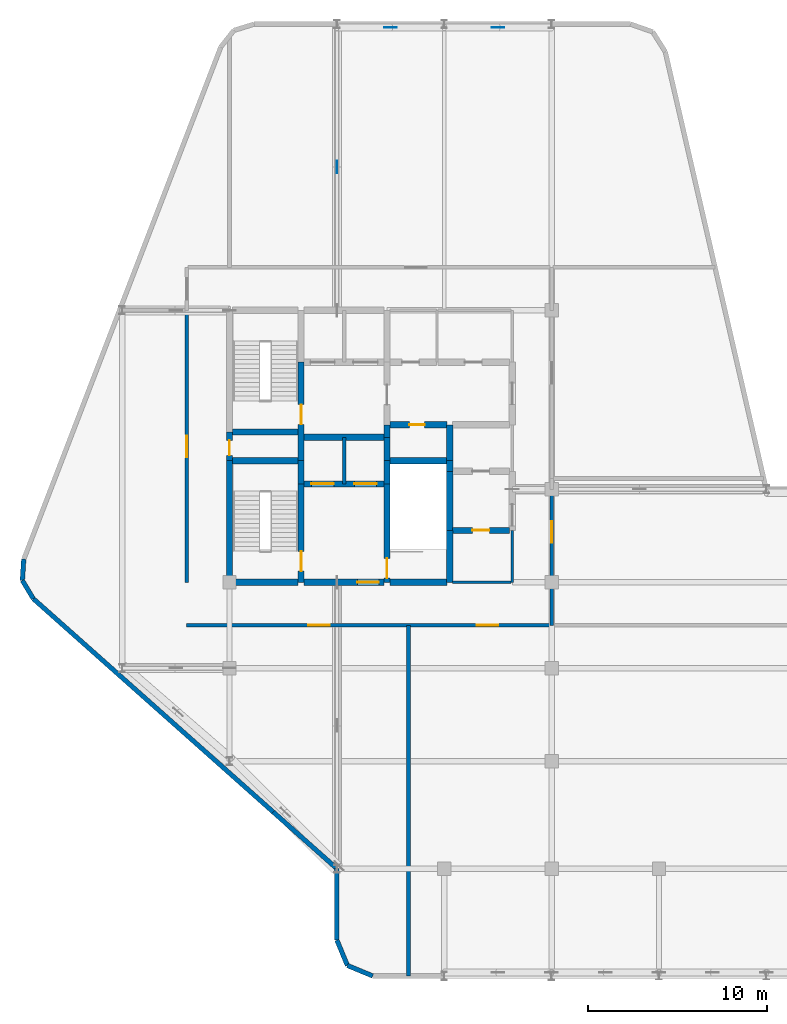
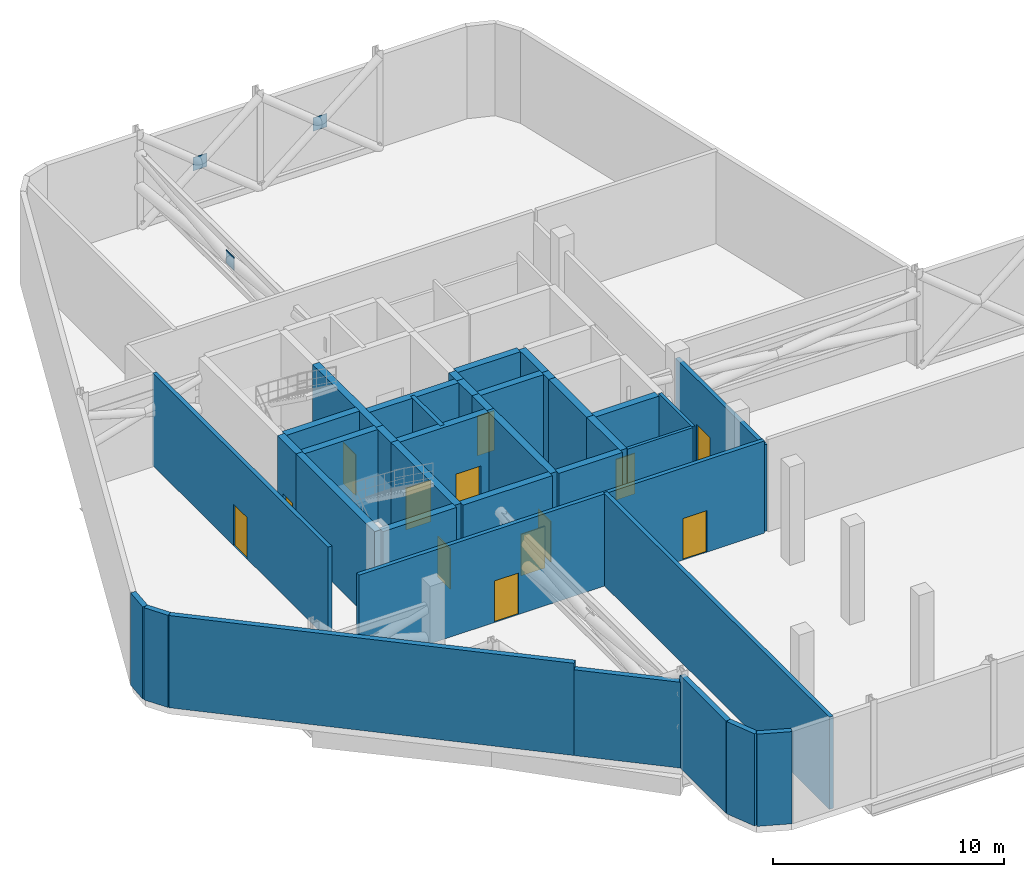
# One storey, part 9 of 12: 37 walls, 13 doors, 3 plates, 13 openings.
"""IFC4 building model written with IfcOpenShell, lengths in metres."""

from ifc_helpers import new_model, si_unit, direction, frame, frame_2d, origin, origin_2d, place, context, subcontext, project, spatial, rectangle, extrude, material, layer, layer_set, type_object, element, fill, save


model = new_model("IFC4")

# Units and contexts
model_context = context("Model", 3, precision=1e-05, world=origin(), true_north=direction((0.0, 1.0)))
body_context = subcontext(model_context, "Body", "Model", "MODEL_VIEW")
ifc_project = project(units=[si_unit("LENGTHUNIT", "METRE"), si_unit("AREAUNIT", "SQUARE_METRE"), si_unit("VOLUMEUNIT", "CUBIC_METRE"), si_unit("PLANEANGLEUNIT", "RADIAN"), si_unit("MASSUNIT", "GRAM", prefix="KILO")], contexts=[model_context])

# Site, building, storey
site_placement = place(None, origin())
site = spatial("IfcSite", under=ifc_project, at=site_placement, CompositionType="ELEMENT")
building_placement = place(site_placement, origin())
building = spatial("IfcBuilding", under=site, at=building_placement, Name="Keshet Zoharim Tower", CompositionType="ELEMENT")
storey_placement = place(building_placement, frame((0.0, 0.0, 237.60009765625)))
storey = spatial("IfcBuildingStorey", under=building, at=storey_placement, Name="L59", CompositionType="ELEMENT", Elevation=237.60009765625)

# Plates
ifc_material_1 = material(Name="Steel S355", Category="steel")
ifc_layer_1 = layer(ifc_material_1, 0.02490234375)
ifc_layer_set_1 = layer_set([ifc_layer_1], Name="Steel S355")
plate_type = type_object("IfcPlateType", Name="PL-GUS-25", PredefinedType="SHEET", material=ifc_layer_set_1)
for number, where, z_axis, x_axis, name in (
    (1, (24.0, 53.7099609375, 2.08984375), (0.0, 0.0, 1.0), (1.0, 0.0, 0.0), "L59 Belt Truss X-Crossing Gusset 10"),
    (2, (30.0, 53.7099609375, 2.08984375), (0.0, 0.0, 1.0), (1.0, 0.0, 0.0), "L59 Belt Truss X-Crossing Gusset 11"),
    (3, (21.0, 45.89990234375, 2.68505859375), (0.0, 0.0, 1.0), (0.0, 1.0, 0.0), "L59 Core Outrigger X-Crossing Gusset N1"),
):
    element("IfcPlate", number, at=place(storey_placement, frame(where, z_axis=z_axis, x_axis=x_axis)), inside=storey, type_object=plate_type, Name=name, PredefinedType="SHEET", context=body_context, shape_type="SweptSolid", body=[
        extrude(rectangle(XDim=0.699951171875, YDim=0.02490234375, at=origin_2d()), origin(), (0.0, 0.0, 1.0), 0.699951171875),
    ])

# Walls
ifc_material_2 = material(Name="Gypsum Plasterboard", Category="gypsum")
ifc_layer_2 = layer(ifc_material_2, 0.14990234375)
ifc_layer_set_2 = layer_set([ifc_layer_2], Name="Gypsum Plasterboard")
wall_type_1 = type_object("IfcWallType", Name="WL-CLIN-150", PredefinedType="STANDARD", material=ifc_layer_set_2)
wall_1_placement = place(storey_placement, frame((30.800048828125, 22.699951171875, 0.0), z_axis=(0.0, 0.0, 1.0), x_axis=(0.0, 1.0, 0.0)))
element("IfcWall", 4, at=wall_1_placement, inside=storey, type_object=wall_type_1, Name="L59 Interior Wall 025", PredefinedType="STANDARD", context=body_context, shape_type="SweptSolid", body=[
    extrude(rectangle(XDim=2.900146484375, YDim=0.14990234375, at=frame_2d((1.4501953125, 0.0))), origin(), (0.0, 0.0, 1.0), 4.8798828125),
])
wall_2_placement = place(storey_placement, frame((27.4599609375, 22.699951171875, 0.0), z_axis=(0.0, 0.0, 1.0), x_axis=(1.0, 0.0, 0.0)))
element("IfcWall", 5, at=wall_2_placement, inside=storey, type_object=wall_type_1, Name="L59 Interior Wall 037", PredefinedType="STANDARD", context=body_context, shape_type="SweptSolid", body=[
    extrude(rectangle(XDim=3.280029296875, YDim=0.14990234375, at=frame_2d((1.64013671875, 0.0))), origin(), (0.0, 0.0, 1.0), 4.8798828125),
])
ifc_material_3 = material(Name="Concrete C60/75", Category="concrete")
ifc_layer_3 = layer(ifc_material_3, 0.35009765625)
ifc_layer_set_3 = layer_set([ifc_layer_3], Name="Concrete C60/75")
wall_type_2 = type_object("IfcWallType", Name="WL-CORE-350", PredefinedType="SHEAR", material=ifc_layer_set_3)
wall_3_placement = place(storey_placement, frame((15.0, 22.699951171875, 0.0), z_axis=(0.0, 0.0, 1.0), x_axis=(0.0, 1.0, 0.0)))
element("IfcWall", 6, at=wall_3_placement, inside=storey, type_object=wall_type_2, Name="L59 Core Shear Wall 003", PredefinedType="SHEAR", context=body_context, shape_type="SweptSolid", body=[
    extrude(rectangle(XDim=6.800048828125, YDim=0.35009765625, at=frame_2d((3.39990234375, 0.0))), origin(), (0.0, 0.0, 1.0), 4.8798828125),
])

# Wall, opening, door
wall_4_placement = place(storey_placement, frame((15.0, 29.5, 0.0), z_axis=(0.0, 0.0, 1.0), x_axis=(0.0, 1.0, 0.0)))
wall_4 = element("IfcWall", 7, at=wall_4_placement, inside=storey, type_object=wall_type_2, Name="L59 Core Shear Wall 004", PredefinedType="SHEAR", context=body_context, shape_type="SweptSolid", body=[
    extrude(rectangle(XDim=1.60009765625, YDim=0.35009765625, at=frame_2d((0.800048828125, 0.0))), origin(), (0.0, 0.0, 1.0), 4.8798828125),
])
opening_1_placement = place(wall_4_placement, frame((0.287109375, 0.0, 0.0)))
opening_1 = element("IfcOpeningElement", 8, at=opening_1_placement, cuts=wall_4, Name="Opening D-RS85", PredefinedType="OPENING", context=body_context, shape_type="SweptSolid", body=[
    extrude(rectangle(XDim=0.85009765625, YDim=2.10009765625, at=frame_2d((0.425048828125, 1.050048828125))), frame((0.0, 0.18505859375, 0.0), z_axis=(0.0, -1.0, 0.0), x_axis=(1.0, 0.0, 0.0)), (0.0, 0.0, 1.0), 0.3701171875),
])
ifc_material_4 = material(Name="Hardwood Timber", Category="wood")
door_type_1 = type_object("IfcDoorType", Name="DR-RIS-085", OperationType="NOTDEFINED", PredefinedType="DOOR", material=ifc_material_4)
door_1_placement = place(opening_1_placement, origin())
door_1 = element("IfcDoor", 9, at=door_1_placement, inside=storey, type_object=door_type_1, Name="L59 Electrical Riser Access Cupboard Door", OperationType="SINGLE_SWING_RIGHT", OverallHeight=2.10009765625, OverallWidth=0.85009765625, PredefinedType="DOOR", context=body_context, shape_type="SweptSolid", body=[
    extrude(rectangle(XDim=0.85009765625, YDim=2.10009765625, at=frame_2d((0.425048828125, 1.050048828125))), frame((0.0, 0.02490234375, 0.0), z_axis=(0.0, -1.0, 0.0), x_axis=(1.0, 0.0, 0.0)), (0.0, 0.0, 1.0), 0.050048828125),
])
fill(opening_1, door_1)

wall_5_placement = place(storey_placement, frame((19.0, 22.699951171875, 0.0), z_axis=(0.0, 0.0, 1.0), x_axis=(0.0, 1.0, 0.0)))
wall_5 = element("IfcWall", 10, at=wall_5_placement, inside=storey, type_object=wall_type_2, Name="L59 Core Shear Wall 007", PredefinedType="SHEAR", context=body_context, shape_type="SweptSolid", body=[
    extrude(rectangle(XDim=5.5, YDim=0.35009765625, at=frame_2d((2.75, 0.0))), origin(), (0.0, 0.0, 1.0), 4.8798828125),
])
opening_2_placement = place(wall_5_placement, frame((0.631103515625, 0.0, 0.0)))
opening_2 = element("IfcOpeningElement", 11, at=opening_2_placement, cuts=wall_5, Name="Opening D-F611", PredefinedType="OPENING", context=body_context, shape_type="SweptSolid", body=[
    extrude(rectangle(XDim=1.10009765625, YDim=2.14990234375, at=frame_2d((0.550048828125, 1.074951171875))), frame((0.0, 0.18505859375, 0.0), z_axis=(0.0, -1.0, 0.0), x_axis=(1.0, 0.0, 0.0)), (0.0, 0.0, 1.0), 0.3701171875),
])
door_type_2 = type_object("IfcDoorType", Name="DR-FD60-110", OperationType="NOTDEFINED", PredefinedType="DOOR", material=ifc_material_4)
door_2_placement = place(opening_2_placement, origin())
door_2 = element("IfcDoor", 12, at=door_2_placement, inside=storey, type_object=door_type_2, Name="L59 Exit Stair ST-01 Fire Door", OperationType="SINGLE_SWING_LEFT", OverallHeight=2.14990234375, OverallWidth=1.10009765625, PredefinedType="DOOR", context=body_context, shape_type="SweptSolid", body=[
    extrude(rectangle(XDim=1.10009765625, YDim=2.14990234375, at=frame_2d((0.550048828125, 1.074951171875))), frame((0.0, 0.02490234375, 0.0), z_axis=(0.0, -1.0, 0.0), x_axis=(1.0, 0.0, 0.0)), (0.0, 0.0, 1.0), 0.050048828125),
])
fill(opening_2, door_2)

# Wall
wall_6_placement = place(storey_placement, frame((19.0, 28.199951171875, 0.0), z_axis=(0.0, 0.0, 1.0), x_axis=(0.0, 1.0, 0.0)))
element("IfcWall", 13, at=wall_6_placement, inside=storey, type_object=wall_type_2, Name="L59 Core Shear Wall 008", PredefinedType="SHEAR", context=body_context, shape_type="SweptSolid", body=[
    extrude(rectangle(XDim=1.300048828125, YDim=0.35009765625, at=frame_2d((0.64990234375, 0.0))), origin(), (0.0, 0.0, 1.0), 4.8798828125),
])

# Wall, opening, door
wall_7_placement = place(storey_placement, frame((19.0, 29.5, 0.0), z_axis=(0.0, 0.0, 1.0), x_axis=(0.0, 1.0, 0.0)))
wall_7 = element("IfcWall", 14, at=wall_7_placement, inside=storey, type_object=wall_type_2, Name="L59 Core Shear Wall 009", PredefinedType="SHEAR", context=body_context, shape_type="SweptSolid", body=[
    extrude(rectangle(XDim=5.5, YDim=0.35009765625, at=frame_2d((2.75, 0.0))), origin(), (0.0, 0.0, 1.0), 4.8798828125),
])
opening_3_placement = place(wall_7_placement, frame((2.02490234375, 0.0, 0.0)))
opening_3 = element("IfcOpeningElement", 15, at=opening_3_placement, cuts=wall_7, Name="Opening D-F611", PredefinedType="OPENING", context=body_context, shape_type="SweptSolid", body=[
    extrude(rectangle(XDim=1.10009765625, YDim=2.14990234375, at=frame_2d((0.550048828125, 1.074951171875))), frame((0.0, 0.18505859375, 0.0), z_axis=(0.0, -1.0, 0.0), x_axis=(1.0, 0.0, 0.0)), (0.0, 0.0, 1.0), 0.3701171875),
])
door_3_placement = place(opening_3_placement, origin())
door_3 = element("IfcDoor", 16, at=door_3_placement, inside=storey, type_object=door_type_2, Name="L59 Exit Stair ST-02 Fire Door", OperationType="SINGLE_SWING_RIGHT", OverallHeight=2.14990234375, OverallWidth=1.10009765625, PredefinedType="DOOR", context=body_context, shape_type="SweptSolid", body=[
    extrude(rectangle(XDim=1.10009765625, YDim=2.14990234375, at=frame_2d((0.550048828125, 1.074951171875))), frame((0.0, 0.02490234375, 0.0), z_axis=(0.0, -1.0, 0.0), x_axis=(1.0, 0.0, 0.0)), (0.0, 0.0, 1.0), 0.050048828125),
])
fill(opening_3, door_3)

wall_8_placement = place(storey_placement, frame((23.800048828125, 22.699951171875, 0.0), z_axis=(0.0, 0.0, 1.0), x_axis=(0.0, 1.0, 0.0)))
wall_8 = element("IfcWall", 17, at=wall_8_placement, inside=storey, type_object=wall_type_2, Name="L59 Core Shear Wall 013", PredefinedType="SHEAR", context=body_context, shape_type="SweptSolid", body=[
    extrude(rectangle(XDim=5.5, YDim=0.35009765625, at=frame_2d((2.75, 0.0))), origin(), (0.0, 0.0, 1.0), 4.8798828125),
])
opening_4_placement = place(wall_8_placement, frame((0.235107421875, 0.0, 0.0)))
opening_4 = element("IfcOpeningElement", 18, at=opening_4_placement, cuts=wall_8, Name="Opening D-F611", PredefinedType="OPENING", context=body_context, shape_type="SweptSolid", body=[
    extrude(rectangle(XDim=1.10009765625, YDim=2.14990234375, at=frame_2d((0.550048828125, 1.074951171875))), frame((0.0, 0.18505859375, 0.0), z_axis=(0.0, -1.0, 0.0), x_axis=(1.0, 0.0, 0.0)), (0.0, 0.0, 1.0), 0.3701171875),
])
door_4_placement = place(opening_4_placement, frame((1.10009765625, 0.0, 0.0), z_axis=(0.0, 0.0, 1.0), x_axis=(-1.0, 0.0, 0.0)))
door_4 = element("IfcDoor", 19, at=door_4_placement, inside=storey, type_object=door_type_2, Name="L59 Exit Stair ST-03 Fire Door", OperationType="SINGLE_SWING_LEFT", OverallHeight=2.14990234375, OverallWidth=1.10009765625, PredefinedType="DOOR", context=body_context, shape_type="SweptSolid", body=[
    extrude(rectangle(XDim=1.10009765625, YDim=2.14990234375, at=frame_2d((0.550048828125, 1.074951171875))), frame((0.0, 0.02490234375, 0.0), z_axis=(0.0, -1.0, 0.0), x_axis=(1.0, 0.0, 0.0)), (0.0, 0.0, 1.0), 0.050048828125),
])
fill(opening_4, door_4)

# Walls
for number, where, z_axis, x_axis, name in (
    (20, (23.800048828125, 28.199951171875, 0.0), (0.0, 0.0, 1.0), (0.0, 1.0, 0.0), "L59 Core Shear Wall 014"),
    (21, (23.800048828125, 29.5, 0.0), (0.0, 0.0, 1.0), (0.0, 1.0, 0.0), "L59 Core Shear Wall 015"),
):
    element("IfcWall", number, at=place(storey_placement, frame(where, z_axis=z_axis, x_axis=x_axis)), inside=storey, type_object=wall_type_2, Name=name, PredefinedType="SHEAR", context=body_context, shape_type="SweptSolid", body=[
        extrude(rectangle(XDim=1.300048828125, YDim=0.35009765625, at=frame_2d((0.64990234375, 0.0))), origin(), (0.0, 0.0, 1.0), 4.8798828125),
    ])
wall_9_placement = place(storey_placement, frame((23.800048828125, 30.800048828125, 0.0), z_axis=(0.0, 0.0, 1.0), x_axis=(0.0, 1.0, 0.0)))
element("IfcWall", 22, at=wall_9_placement, inside=storey, type_object=wall_type_2, Name="L59 Core Shear Wall 016", PredefinedType="SHEAR", context=body_context, shape_type="SweptSolid", body=[
    extrude(rectangle(XDim=0.699951171875, YDim=0.35009765625, at=frame_2d((0.35009765625, 0.0))), origin(), (0.0, 0.0, 1.0), 4.8798828125),
])
wall_10_placement = place(storey_placement, frame((27.300048828125, 22.699951171875, 0.0), z_axis=(0.0, 0.0, 1.0), x_axis=(0.0, 1.0, 0.0)))
element("IfcWall", 23, at=wall_10_placement, inside=storey, type_object=wall_type_2, Name="L59 Core Shear Wall 021", PredefinedType="SHEAR", context=body_context, shape_type="SweptSolid", body=[
    extrude(rectangle(XDim=2.900146484375, YDim=0.35009765625, at=frame_2d((1.4501953125, 0.0))), origin(), (0.0, 0.0, 1.0), 4.8798828125),
])
wall_11_placement = place(storey_placement, frame((27.300048828125, 25.60009765625, 0.0), z_axis=(0.0, 0.0, 1.0), x_axis=(0.0, 1.0, 0.0)))
element("IfcWall", 24, at=wall_11_placement, inside=storey, type_object=wall_type_2, Name="L59 Core Shear Wall 022", PredefinedType="SHEAR", context=body_context, shape_type="SweptSolid", body=[
    extrude(rectangle(XDim=3.2998046875, YDim=0.35009765625, at=frame_2d((1.64990234375, 0.0))), origin(), (0.0, 0.0, 1.0), 4.8798828125),
])
wall_12_placement = place(storey_placement, frame((27.300048828125, 28.89990234375, 0.0), z_axis=(0.0, 0.0, 1.0), x_axis=(0.0, 1.0, 0.0)))
element("IfcWall", 25, at=wall_12_placement, inside=storey, type_object=wall_type_2, Name="L59 Core Shear Wall 023", PredefinedType="SHEAR", context=body_context, shape_type="SweptSolid", body=[
    extrude(rectangle(XDim=0.60009765625, YDim=0.35009765625, at=frame_2d((0.300048828125, 0.0))), origin(), (0.0, 0.0, 1.0), 4.8798828125),
])
wall_13_placement = place(storey_placement, frame((27.300048828125, 29.5, 0.0), z_axis=(0.0, 0.0, 1.0), x_axis=(0.0, 1.0, 0.0)))
element("IfcWall", 26, at=wall_13_placement, inside=storey, type_object=wall_type_2, Name="L59 Core Shear Wall 024", PredefinedType="SHEAR", context=body_context, shape_type="SweptSolid", body=[
    extrude(rectangle(XDim=2.0, YDim=0.35009765625, at=frame_2d((1.0, 0.0))), origin(), (0.0, 0.0, 1.0), 4.8798828125),
])
wall_14_placement = place(storey_placement, frame((15.159912109375, 22.699951171875, 0.0), z_axis=(0.0, 0.0, 1.0), x_axis=(1.0, 0.0, 0.0)))
element("IfcWall", 27, at=wall_14_placement, inside=storey, type_object=wall_type_2, Name="L59 Core Shear Wall 034", PredefinedType="SHEAR", context=body_context, shape_type="SweptSolid", body=[
    extrude(rectangle(XDim=3.68017578125, YDim=0.35009765625, at=frame_2d((1.840087890625, 0.0))), origin(), (0.0, 0.0, 1.0), 4.8798828125),
])

# Wall, opening, door
wall_15_placement = place(storey_placement, frame((19.159912109375, 22.699951171875, 0.0), z_axis=(0.0, 0.0, 1.0), x_axis=(1.0, 0.0, 0.0)))
wall_15 = element("IfcWall", 28, at=wall_15_placement, inside=storey, type_object=wall_type_2, Name="L59 Core Shear Wall 035", PredefinedType="SHEAR", context=body_context, shape_type="SweptSolid", body=[
    extrude(rectangle(XDim=4.47998046875, YDim=0.35009765625, at=frame_2d((2.239990234375, 0.0))), origin(), (0.0, 0.0, 1.0), 4.8798828125),
])
opening_5_placement = place(wall_15_placement, frame((2.989990234375, 0.0, 0.0)))
opening_5 = element("IfcOpeningElement", 29, at=opening_5_placement, cuts=wall_15, Name="Opening D-F612", PredefinedType="OPENING", context=body_context, shape_type="SweptSolid", body=[
    extrude(rectangle(XDim=1.199951171875, YDim=2.199951171875, at=frame_2d((0.60009765625, 1.10009765625))), frame((0.0, 0.18505859375, 0.0), z_axis=(0.0, -1.0, 0.0), x_axis=(1.0, 0.0, 0.0)), (0.0, 0.0, 1.0), 0.3701171875),
])
door_type_3 = type_object("IfcDoorType", Name="DR-FD60-120", OperationType="NOTDEFINED", PredefinedType="DOOR", material=ifc_material_4)
door_5_placement = place(opening_5_placement, origin())
door_5 = element("IfcDoor", 30, at=door_5_placement, inside=storey, type_object=door_type_3, Name="L59 South Core Lobby Fire Door", OperationType="SINGLE_SWING_LEFT", OverallHeight=2.199951171875, OverallWidth=1.199951171875, PredefinedType="DOOR", context=body_context, shape_type="SweptSolid", body=[
    extrude(rectangle(XDim=1.199951171875, YDim=2.199951171875, at=frame_2d((0.60009765625, 1.10009765625))), frame((0.0, 0.02490234375, 0.0), z_axis=(0.0, -1.0, 0.0), x_axis=(1.0, 0.0, 0.0)), (0.0, 0.0, 1.0), 0.050048828125),
])
fill(opening_5, door_5)

# Wall
wall_16_placement = place(storey_placement, frame((23.9599609375, 22.699951171875, 0.0), z_axis=(0.0, 0.0, 1.0), x_axis=(1.0, 0.0, 0.0)))
element("IfcWall", 31, at=wall_16_placement, inside=storey, type_object=wall_type_2, Name="L59 Core Shear Wall 036", PredefinedType="SHEAR", context=body_context, shape_type="SweptSolid", body=[
    extrude(rectangle(XDim=3.179931640625, YDim=0.35009765625, at=frame_2d((1.58984375, 0.0))), origin(), (0.0, 0.0, 1.0), 4.8798828125),
])

# Wall, opening, door
wall_17_placement = place(storey_placement, frame((27.4599609375, 25.60009765625, 0.0), z_axis=(0.0, 0.0, 1.0), x_axis=(1.0, 0.0, 0.0)))
wall_17 = element("IfcWall", 32, at=wall_17_placement, inside=storey, type_object=wall_type_2, Name="L59 Core Shear Wall 038", PredefinedType="SHEAR", context=body_context, shape_type="SweptSolid", body=[
    extrude(rectangle(XDim=3.179931640625, YDim=0.35009765625, at=frame_2d((1.58984375, 0.0))), origin(), (0.0, 0.0, 1.0), 4.8798828125),
])
opening_6_placement = place(wall_17_placement, frame((1.114990234375, 0.0, 0.0)))
opening_6 = element("IfcOpeningElement", 33, at=opening_6_placement, cuts=wall_17, Name="Opening D-F695", PredefinedType="OPENING", context=body_context, shape_type="SweptSolid", body=[
    extrude(rectangle(XDim=0.949951171875, YDim=2.14990234375, at=frame_2d((0.47509765625, 1.074951171875))), frame((0.0, 0.18505859375, 0.0), z_axis=(0.0, -1.0, 0.0), x_axis=(1.0, 0.0, 0.0)), (0.0, 0.0, 1.0), 0.3701171875),
])
door_type_4 = type_object("IfcDoorType", Name="DR-FD60-095", OperationType="NOTDEFINED", PredefinedType="DOOR", material=ifc_material_4)
door_6_placement = place(opening_6_placement, origin())
door_6 = element("IfcDoor", 34, at=door_6_placement, inside=storey, type_object=door_type_4, Name="L59 Study Alcove Door", OperationType="SINGLE_SWING_RIGHT", OverallHeight=2.14990234375, OverallWidth=0.949951171875, PredefinedType="DOOR", context=body_context, shape_type="SweptSolid", body=[
    extrude(rectangle(XDim=0.949951171875, YDim=2.14990234375, at=frame_2d((0.47509765625, 1.074951171875))), frame((0.0, 0.02490234375, 0.0), z_axis=(0.0, -1.0, 0.0), x_axis=(1.0, 0.0, 0.0)), (0.0, 0.0, 1.0), 0.050048828125),
])
fill(opening_6, door_6)

# Wall, openings, doors
wall_18_placement = place(storey_placement, frame((19.159912109375, 28.199951171875, 0.0), z_axis=(0.0, 0.0, 1.0), x_axis=(1.0, 0.0, 0.0)))
wall_18 = element("IfcWall", 35, at=wall_18_placement, inside=storey, type_object=wall_type_2, Name="L59 Core Shear Wall 039", PredefinedType="SHEAR", context=body_context, shape_type="SweptSolid", body=[
    extrude(rectangle(XDim=4.47998046875, YDim=0.35009765625, at=frame_2d((2.239990234375, 0.0))), origin(), (0.0, 0.0, 1.0), 4.8798828125),
])
opening_7_placement = place(wall_18_placement, frame((0.4150390625, 0.0, 0.0)))
opening_7 = element("IfcOpeningElement", 36, at=opening_7_placement, cuts=wall_18, Name="Opening LD-01", PredefinedType="OPENING", context=body_context, shape_type="SweptSolid", body=[
    extrude(rectangle(XDim=1.25, YDim=2.199951171875, at=frame_2d((0.625, 1.10009765625))), frame((0.0, 0.18505859375, 0.0), z_axis=(0.0, -1.0, 0.0), x_axis=(1.0, 0.0, 0.0)), (0.0, 0.0, 1.0), 0.3701171875),
])
opening_8_placement = place(wall_18_placement, frame((2.81494140625, 0.0, 0.0)))
opening_8 = element("IfcOpeningElement", 37, at=opening_8_placement, cuts=wall_18, Name="Opening LD-01", PredefinedType="OPENING", context=body_context, shape_type="SweptSolid", body=[
    extrude(rectangle(XDim=1.25, YDim=2.199951171875, at=frame_2d((0.625, 1.10009765625))), frame((0.0, 0.18505859375, 0.0), z_axis=(0.0, -1.0, 0.0), x_axis=(1.0, 0.0, 0.0)), (0.0, 0.0, 1.0), 0.3701171875),
])
door_type_5 = type_object("IfcDoorType", Name="DR-LD01-125", OperationType="DOUBLE_DOOR_SLIDING", PredefinedType="DOOR", material=ifc_material_1)
door_7_placement = place(opening_7_placement, origin())
door_7 = element("IfcDoor", 38, at=door_7_placement, inside=storey, type_object=door_type_5, Name="L59 Passenger Lift Landing Door LF-09", OperationType="DOUBLE_DOOR_SLIDING", OverallHeight=2.199951171875, OverallWidth=1.25, PredefinedType="DOOR", context=body_context, shape_type="SweptSolid", body=[
    extrude(rectangle(XDim=1.25, YDim=2.199951171875, at=frame_2d((0.625, 1.10009765625))), frame((0.0, 0.02490234375, 0.0), z_axis=(0.0, -1.0, 0.0), x_axis=(1.0, 0.0, 0.0)), (0.0, 0.0, 1.0), 0.050048828125),
])
fill(opening_7, door_7)
door_8_placement = place(opening_8_placement, origin())
door_8 = element("IfcDoor", 39, at=door_8_placement, inside=storey, type_object=door_type_5, Name="L59 Passenger Lift Landing Door LF-10", OperationType="DOUBLE_DOOR_SLIDING", OverallHeight=2.199951171875, OverallWidth=1.25, PredefinedType="DOOR", context=body_context, shape_type="SweptSolid", body=[
    extrude(rectangle(XDim=1.25, YDim=2.199951171875, at=frame_2d((0.625, 1.10009765625))), frame((0.0, 0.02490234375, 0.0), z_axis=(0.0, -1.0, 0.0), x_axis=(1.0, 0.0, 0.0)), (0.0, 0.0, 1.0), 0.050048828125),
])
fill(opening_8, door_8)

# Walls
wall_19_placement = place(storey_placement, frame((15.159912109375, 29.5, 0.0), z_axis=(0.0, 0.0, 1.0), x_axis=(1.0, 0.0, 0.0)))
element("IfcWall", 40, at=wall_19_placement, inside=storey, type_object=wall_type_2, Name="L59 Core Shear Wall 042", PredefinedType="SHEAR", context=body_context, shape_type="SweptSolid", body=[
    extrude(rectangle(XDim=3.68017578125, YDim=0.35009765625, at=frame_2d((1.840087890625, 0.0))), origin(), (0.0, 0.0, 1.0), 4.8798828125),
])
wall_20_placement = place(storey_placement, frame((23.9599609375, 29.5, 0.0), z_axis=(0.0, 0.0, 1.0), x_axis=(1.0, 0.0, 0.0)))
element("IfcWall", 41, at=wall_20_placement, inside=storey, type_object=wall_type_2, Name="L59 Core Shear Wall 043", PredefinedType="SHEAR", context=body_context, shape_type="SweptSolid", body=[
    extrude(rectangle(XDim=3.179931640625, YDim=0.35009765625, at=frame_2d((1.58984375, 0.0))), origin(), (0.0, 0.0, 1.0), 4.8798828125),
])
wall_21_placement = place(storey_placement, frame((19.159912109375, 30.800048828125, 0.0), z_axis=(0.0, 0.0, 1.0), x_axis=(1.0, 0.0, 0.0)))
element("IfcWall", 42, at=wall_21_placement, inside=storey, type_object=wall_type_2, Name="L59 Core Shear Wall 044", PredefinedType="SHEAR", context=body_context, shape_type="SweptSolid", body=[
    extrude(rectangle(XDim=4.47998046875, YDim=0.35009765625, at=frame_2d((2.239990234375, 0.0))), origin(), (0.0, 0.0, 1.0), 4.8798828125),
])
wall_22_placement = place(storey_placement, frame((15.159912109375, 31.10009765625, 0.0), z_axis=(0.0, 0.0, 1.0), x_axis=(1.0, 0.0, 0.0)))
element("IfcWall", 43, at=wall_22_placement, inside=storey, type_object=wall_type_2, Name="L59 Core Shear Wall 045", PredefinedType="SHEAR", context=body_context, shape_type="SweptSolid", body=[
    extrude(rectangle(XDim=3.68017578125, YDim=0.35009765625, at=frame_2d((1.840087890625, 0.0))), origin(), (0.0, 0.0, 1.0), 4.8798828125),
])

# Wall, opening, door
wall_23_placement = place(storey_placement, frame((23.9599609375, 31.5, 0.0), z_axis=(0.0, 0.0, 1.0), x_axis=(1.0, 0.0, 0.0)))
wall_23 = element("IfcWall", 44, at=wall_23_placement, inside=storey, type_object=wall_type_2, Name="L59 Core Shear Wall 046", PredefinedType="SHEAR", context=body_context, shape_type="SweptSolid", body=[
    extrude(rectangle(XDim=3.179931640625, YDim=0.35009765625, at=frame_2d((1.58984375, 0.0))), origin(), (0.0, 0.0, 1.0), 4.8798828125),
])
opening_9_placement = place(wall_23_placement, frame((1.093994140625, 0.0, 0.0)))
opening_9 = element("IfcOpeningElement", 45, at=opening_9_placement, cuts=wall_23, Name="Opening D-RS85", PredefinedType="OPENING", context=body_context, shape_type="SweptSolid", body=[
    extrude(rectangle(XDim=0.85009765625, YDim=2.10009765625, at=frame_2d((0.425048828125, 1.050048828125))), frame((0.0, 0.18505859375, 0.0), z_axis=(0.0, -1.0, 0.0), x_axis=(1.0, 0.0, 0.0)), (0.0, 0.0, 1.0), 0.3701171875),
])
door_9_placement = place(opening_9_placement, origin())
door_9 = element("IfcDoor", 46, at=door_9_placement, inside=storey, type_object=door_type_1, Name="L59 Telecom Riser Access Cupboard Door", OperationType="SINGLE_SWING_RIGHT", OverallHeight=2.10009765625, OverallWidth=0.85009765625, PredefinedType="DOOR", context=body_context, shape_type="SweptSolid", body=[
    extrude(rectangle(XDim=0.85009765625, YDim=2.10009765625, at=frame_2d((0.425048828125, 1.050048828125))), frame((0.0, 0.02490234375, 0.0), z_axis=(0.0, -1.0, 0.0), x_axis=(1.0, 0.0, 0.0)), (0.0, 0.0, 1.0), 0.050048828125),
])
fill(opening_9, door_9)

# Walls
ifc_material_5 = material(Name="Concrete C50/60 precast", Category="concrete")
ifc_layer_4 = layer(ifc_material_5, 0.260009765625)
ifc_layer_set_4 = layer_set([ifc_layer_4], Name="Concrete C50/60 precast")
wall_type_3 = type_object("IfcWallType", Name="WL-EXT-260", PredefinedType="STANDARD", material=ifc_layer_set_4)
for number, where, z_axis, x_axis, name in (
    (47, (23.0, 0.699951171875, 0.0), (0.0, 0.0, 1.0), (-0.92383017907, 0.382802560388, 0.0), "L59 Exterior Facade Wall 07"),
    (48, (21.5859375, 1.285888671875, 0.0), (0.0, 0.0, 1.0), (-0.382802560388, 0.92383017907, 0.0), "L59 Exterior Facade Wall 08"),
):
    element("IfcWall", number, at=place(storey_placement, frame(where, z_axis=z_axis, x_axis=x_axis)), inside=storey, type_object=wall_type_3, Name=name, PredefinedType="STANDARD", context=body_context, shape_type="SweptSolid", body=[
        extrude(rectangle(XDim=1.53076171875, YDim=0.260009765625, at=frame_2d((0.765380859375, 0.0))), origin(), (0.0, 0.0, 1.0), 4.8798828125),
    ])
wall_24_placement = place(storey_placement, frame((21.0, 2.699951171875, 0.0), z_axis=(0.0, 0.0, 1.0), x_axis=(0.0, 1.0, 0.0)))
element("IfcWall", 49, at=wall_24_placement, inside=storey, type_object=wall_type_3, Name="L59 Exterior Facade Wall 09", PredefinedType="STANDARD", context=body_context, shape_type="SweptSolid", body=[
    extrude(rectangle(XDim=4.0, YDim=0.260009765625, at=frame_2d((2.0, 0.0))), origin(), (0.0, 0.0, 1.0), 4.8798828125),
])
wall_25_placement = place(storey_placement, frame((21.0, 6.699951171875, 0.0), z_axis=(0.0, 0.0, 1.0), x_axis=(-0.74741780008, 0.664354297137, 0.0)))
element("IfcWall", 50, at=wall_25_placement, inside=storey, type_object=wall_type_3, Name="L59 Exterior Facade Wall 10", PredefinedType="STANDARD", context=body_context, shape_type="SweptSolid", body=[
    extrude(rectangle(XDim=4.764404296875, YDim=0.260009765625, at=frame_2d((2.38232421875, 0.0))), origin(), (0.0, 0.0, 1.0), 4.539794921875),
])
wall_26_placement = place(storey_placement, frame((4.034912109375, 21.780029296875, 0.0), z_axis=(0.0, 0.0, 1.0), x_axis=(-0.51560906497, 0.856823956318, 0.0)))
element("IfcWall", 51, at=wall_26_placement, inside=storey, type_object=wall_type_3, Name="L59 Exterior Facade Wall 11", PredefinedType="STANDARD", context=body_context, shape_type="SweptSolid", body=[
    extrude(rectangle(XDim=1.192626953125, YDim=0.260009765625, at=frame_2d((0.59619140625, 0.0))), origin(), (0.0, 0.0, 1.0), 4.8798828125),
])
wall_27_placement = place(storey_placement, frame((3.419921875, 22.802001953125, 0.0), z_axis=(0.0, 0.0, 1.0), x_axis=(0.064645147091, 0.997908314906, 0.0)))
element("IfcWall", 52, at=wall_27_placement, inside=storey, type_object=wall_type_3, Name="L59 Exterior Facade Wall 12", PredefinedType="STANDARD", context=body_context, shape_type="SweptSolid", body=[
    extrude(rectangle(XDim=1.193359375, YDim=0.260009765625, at=frame_2d((0.5966796875, 0.0))), origin(), (0.0, 0.0, 1.0), 4.8798828125),
])
wall_28_placement = place(storey_placement, frame((17.43896484375, 9.865234375, 0.0), z_axis=(0.0, 0.0, 1.0), x_axis=(-0.747407065455, 0.664366373703, 0.0)))
element("IfcWall", 53, at=wall_28_placement, inside=storey, type_object=wall_type_3, Name="L59 Exterior Facade Wall 10 Part 2", PredefinedType="STANDARD", context=body_context, shape_type="SweptSolid", body=[
    extrude(rectangle(XDim=17.93408203125, YDim=0.260009765625, at=frame_2d((8.967041015625, 0.0))), origin(), (0.0, 0.0, 1.0), 4.8798828125),
])

# Wall, opening, door
ifc_material_6 = material(Name="Concrete C50/60", Category="concrete")
ifc_layer_5 = layer(ifc_material_6, 0.199951171875)
ifc_layer_set_5 = layer_set([ifc_layer_5], Name="Concrete C50/60")
wall_type_4 = type_object("IfcWallType", Name="WL-FIRE-200", PredefinedType="STANDARD", material=ifc_layer_set_5)
wall_29_placement = place(storey_placement, frame((12.60009765625, 22.699951171875, 0.0), z_axis=(0.0, 0.0, 1.0), x_axis=(0.0, 1.0, 0.0)))
wall_29 = element("IfcWall", 54, at=wall_29_placement, inside=storey, type_object=wall_type_4, Name="L59 Interior Wall 001", PredefinedType="STANDARD", context=body_context, shape_type="SweptSolid", body=[
    extrude(rectangle(XDim=15.199951171875, YDim=0.199951171875, at=frame_2d((7.60009765625, 0.0))), origin(), (0.0, 0.0, 1.0), 4.8798828125),
])
opening_10_placement = place(wall_29_placement, frame((7.0, 0.0, 0.0)))
opening_10 = element("IfcOpeningElement", 55, at=opening_10_placement, cuts=wall_29, Name="Opening D-F612", PredefinedType="OPENING", context=body_context, shape_type="SweptSolid", body=[
    extrude(rectangle(XDim=1.199951171875, YDim=2.199951171875, at=frame_2d((0.60009765625, 1.10009765625))), frame((0.0, 0.10986328125, 0.0), z_axis=(0.0, -1.0, 0.0), x_axis=(1.0, 0.0, 0.0)), (0.0, 0.0, 1.0), 0.219970703125),
])
door_10_placement = place(opening_10_placement, origin())
door_10 = element("IfcDoor", 56, at=door_10_placement, inside=storey, type_object=door_type_3, Name="L59 Refuge Area West Fire Door", OperationType="SINGLE_SWING_RIGHT", OverallHeight=2.199951171875, OverallWidth=1.199951171875, PredefinedType="DOOR", context=body_context, shape_type="SweptSolid", body=[
    extrude(rectangle(XDim=1.199951171875, YDim=2.199951171875, at=frame_2d((0.60009765625, 1.10009765625))), frame((0.0, 0.02490234375, 0.0), z_axis=(0.0, -1.0, 0.0), x_axis=(1.0, 0.0, 0.0)), (0.0, 0.0, 1.0), 0.050048828125),
])
fill(opening_10, door_10)

# Walls
wall_30_placement = place(storey_placement, frame((21.39990234375, 28.199951171875, 0.0), z_axis=(0.0, 0.0, 1.0), x_axis=(0.0, 1.0, 0.0)))
element("IfcWall", 57, at=wall_30_placement, inside=storey, type_object=wall_type_4, Name="L59 Interior Wall 011", PredefinedType="STANDARD", context=body_context, shape_type="SweptSolid", body=[
    extrude(rectangle(XDim=2.60009765625, YDim=0.199951171875, at=frame_2d((1.300048828125, 0.0))), origin(), (0.0, 0.0, 1.0), 4.8798828125),
])
wall_31_placement = place(storey_placement, frame((25.0, 0.7099609375, 0.0), z_axis=(0.0, 0.0, 1.0), x_axis=(0.0, 1.0, 0.0)))
element("IfcWall", 58, at=wall_31_placement, inside=storey, type_object=wall_type_4, Name="L59 Interior Wall 019", PredefinedType="STANDARD", context=body_context, shape_type="SweptSolid", body=[
    extrude(rectangle(XDim=19.590087890625, YDim=0.199951171875, at=frame_2d((9.794921875, 0.0))), origin(), (0.0, 0.0, 1.0), 4.8798828125),
])

# Wall, opening, door
wall_32_placement = place(storey_placement, frame((33.0, 20.300048828125, 0.0), z_axis=(0.0, 0.0, 1.0), x_axis=(0.0, 1.0, 0.0)))
wall_32 = element("IfcWall", 59, at=wall_32_placement, inside=storey, type_object=wall_type_4, Name="L59 Interior Wall 030", PredefinedType="STANDARD", context=body_context, shape_type="SweptSolid", body=[
    extrude(rectangle(XDim=7.599853515625, YDim=0.199951171875, at=frame_2d((3.7998046875, 0.0))), origin(), (0.0, 0.0, 1.0), 4.58984375),
])
opening_11_placement = place(wall_32_placement, frame((4.60009765625, 0.0, 0.0)))
opening_11 = element("IfcOpeningElement", 60, at=opening_11_placement, cuts=wall_32, Name="Opening D-F612", PredefinedType="OPENING", context=body_context, shape_type="SweptSolid", body=[
    extrude(rectangle(XDim=1.199951171875, YDim=2.199951171875, at=frame_2d((0.60009765625, 1.10009765625))), frame((0.0, 0.10986328125, 0.0), z_axis=(0.0, -1.0, 0.0), x_axis=(1.0, 0.0, 0.0)), (0.0, 0.0, 1.0), 0.219970703125),
])
door_11_placement = place(opening_11_placement, origin())
door_11 = element("IfcDoor", 61, at=door_11_placement, inside=storey, type_object=door_type_3, Name="L59 Domestic Water Tank Room Fire Door", OperationType="SINGLE_SWING_LEFT", OverallHeight=2.199951171875, OverallWidth=1.199951171875, PredefinedType="DOOR", context=body_context, shape_type="SweptSolid", body=[
    extrude(rectangle(XDim=1.199951171875, YDim=2.199951171875, at=frame_2d((0.60009765625, 1.10009765625))), frame((0.0, 0.02490234375, 0.0), z_axis=(0.0, -1.0, 0.0), x_axis=(1.0, 0.0, 0.0)), (0.0, 0.0, 1.0), 0.050048828125),
])
fill(opening_11, door_11)

# Wall, openings, doors
wall_33_placement = place(storey_placement, frame((12.60009765625, 20.300048828125, 0.0), z_axis=(0.0, 0.0, 1.0), x_axis=(1.0, 0.0, 0.0)))
wall_33 = element("IfcWall", 62, at=wall_33_placement, inside=storey, type_object=wall_type_4, Name="L59 Interior Wall 032", PredefinedType="STANDARD", context=body_context, shape_type="SweptSolid", body=[
    extrude(rectangle(XDim=20.31494140625, YDim=0.199951171875, at=frame_2d((10.157470703125, 0.0))), origin(), (0.0, 0.0, 1.0), 4.8798828125),
])
opening_12_placement = place(wall_33_placement, frame((6.800048828125, 0.0, 0.0)))
opening_12 = element("IfcOpeningElement", 63, at=opening_12_placement, cuts=wall_33, Name="Opening D-F612", PredefinedType="OPENING", context=body_context, shape_type="SweptSolid", body=[
    extrude(rectangle(XDim=1.199951171875, YDim=2.199951171875, at=frame_2d((0.60009765625, 1.10009765625))), frame((0.0, 0.10986328125, 0.0), z_axis=(0.0, -1.0, 0.0), x_axis=(1.0, 0.0, 0.0)), (0.0, 0.0, 1.0), 0.219970703125),
])
opening_13_placement = place(wall_33_placement, frame((16.22509765625, 0.0, 0.0)))
opening_13 = element("IfcOpeningElement", 64, at=opening_13_placement, cuts=wall_33, Name="Opening D-F612", PredefinedType="OPENING", context=body_context, shape_type="SweptSolid", body=[
    extrude(rectangle(XDim=1.199951171875, YDim=2.199951171875, at=frame_2d((0.60009765625, 1.10009765625))), frame((0.0, 0.10986328125, 0.0), z_axis=(0.0, -1.0, 0.0), x_axis=(1.0, 0.0, 0.0)), (0.0, 0.0, 1.0), 0.219970703125),
])
door_12_placement = place(opening_12_placement, origin())
door_12 = element("IfcDoor", 65, at=door_12_placement, inside=storey, type_object=door_type_3, Name="L59 Electrical Switchgear Room Fire Door", OperationType="SINGLE_SWING_LEFT", OverallHeight=2.199951171875, OverallWidth=1.199951171875, PredefinedType="DOOR", context=body_context, shape_type="SweptSolid", body=[
    extrude(rectangle(XDim=1.199951171875, YDim=2.199951171875, at=frame_2d((0.60009765625, 1.10009765625))), frame((0.0, 0.02490234375, 0.0), z_axis=(0.0, -1.0, 0.0), x_axis=(1.0, 0.0, 0.0)), (0.0, 0.0, 1.0), 0.050048828125),
])
fill(opening_12, door_12)
door_13_placement = place(opening_13_placement, origin())
door_13 = element("IfcDoor", 66, at=door_13_placement, inside=storey, type_object=door_type_3, Name="L59 Chiller and Cooling Pump Room Fire Door", OperationType="SINGLE_SWING_RIGHT", OverallHeight=2.199951171875, OverallWidth=1.199951171875, PredefinedType="DOOR", context=body_context, shape_type="SweptSolid", body=[
    extrude(rectangle(XDim=1.199951171875, YDim=2.199951171875, at=frame_2d((0.60009765625, 1.10009765625))), frame((0.0, 0.02490234375, 0.0), z_axis=(0.0, -1.0, 0.0), x_axis=(1.0, 0.0, 0.0)), (0.0, 0.0, 1.0), 0.050048828125),
])
fill(opening_13, door_13)

save(model, "model.ifc")
